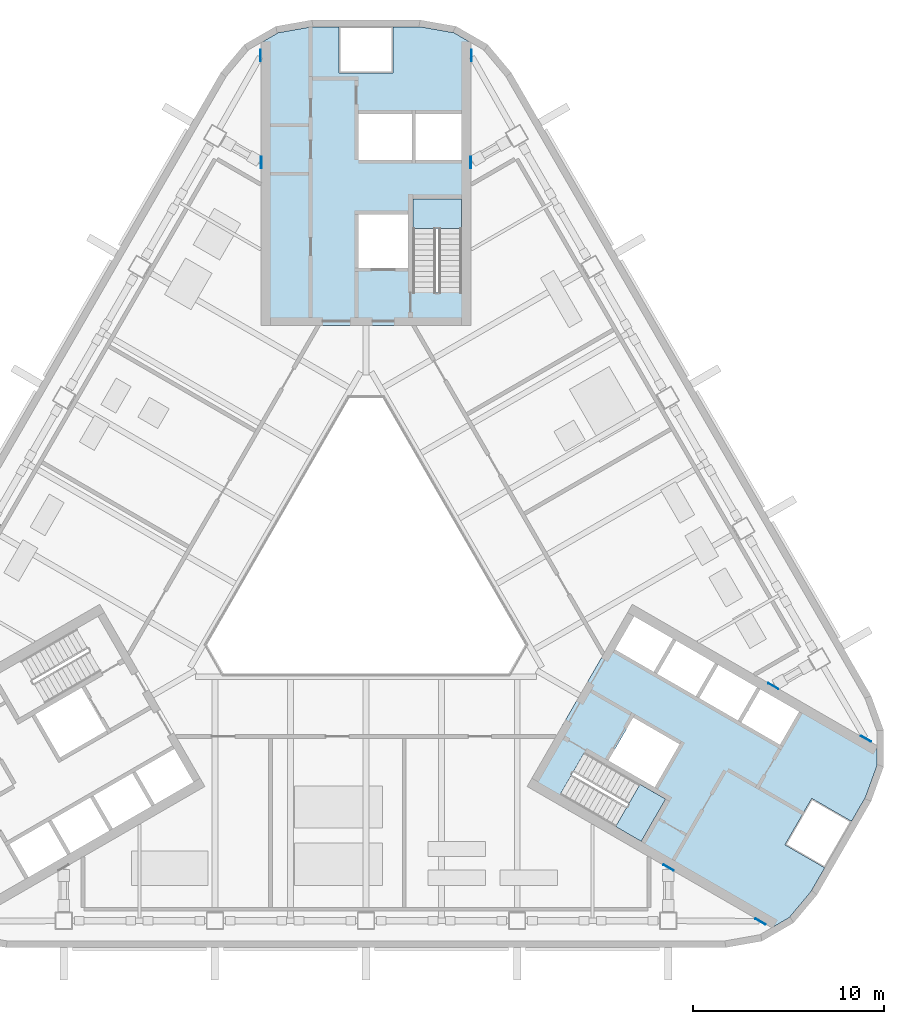
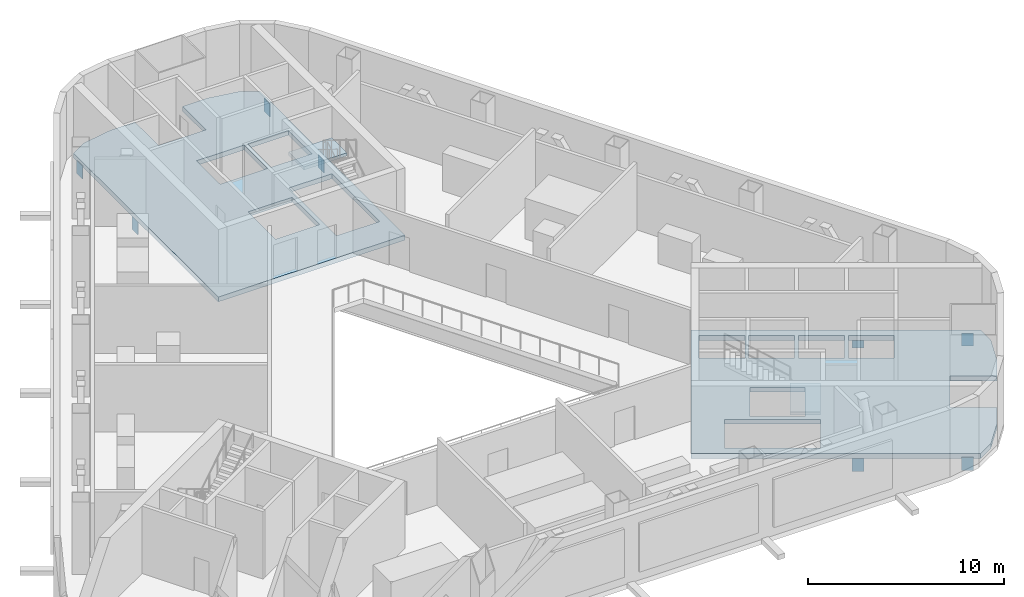
# One storey, part 6 of 15: 8 plates, 4 slabs, 2 elements without a shape of their own.
"""IFC4 building model written with IfcOpenShell, lengths in metres."""

from ifc_helpers import new_model, si_unit, direction, frame, origin, origin_2d, place, context, subcontext, project, spatial, polyline, rectangle, outline, extrude, material, layer, layer_set, type_object, element, aggregate, save


model = new_model("IFC4")

# Units and contexts
model_context = context("Model", 3, precision=1e-05, world=origin(), true_north=direction((0.0, 1.0)))
body_context = subcontext(model_context, "Body", "Model", "MODEL_VIEW")
ifc_project = project(units=[si_unit("LENGTHUNIT", "METRE"), si_unit("AREAUNIT", "SQUARE_METRE"), si_unit("VOLUMEUNIT", "CUBIC_METRE"), si_unit("PLANEANGLEUNIT", "RADIAN"), si_unit("MASSUNIT", "GRAM", prefix="KILO")], contexts=[model_context])

# Site, building, storey
site_placement = place(None, origin())
site = spatial("IfcSite", under=ifc_project, at=site_placement, CompositionType="ELEMENT")
building_placement = place(site_placement, origin())
building = spatial("IfcBuilding", under=site, at=building_placement, Name="Apuvela Tower Hotel", CompositionType="ELEMENT")
storey_placement = place(building_placement, frame((0.0, 0.0, 137.60009765625)))
storey = spatial("IfcBuildingStorey", under=building, at=storey_placement, Name="L32 Plant", CompositionType="ELEMENT", Elevation=137.60009765625)

# Slabs
ifc_material_1 = material(Name="Concrete C50/60", Category="concrete")
ifc_layer_1 = layer(ifc_material_1, 0.300048828125)
ifc_layer_set_1 = layer_set([ifc_layer_1], Name="COR-FLOOR-300")
slab_type_1 = type_object("IfcSlabType", Name="COR-FLOOR-300", PredefinedType="FLOOR", material=ifc_layer_set_1)
slab_1_placement = place(storey_placement, frame((0.0, 0.0, -0.300048828125)))
element("IfcSlab", 1, at=slab_1_placement, inside=storey, type_object=slab_type_1, Name="Core floor N", PredefinedType="FLOOR", context=body_context, shape_type="SweptSolid", body=[
    extrude(outline(polyline([(5.5, 27.668212890625), (4.588623046875, 28.1943359375), (2.85498046875, 28.5), (1.39990234375, 28.5), (1.39990234375, 26.10009765625), (-1.39990234375, 26.10009765625), (-1.39990234375, 28.5), (-2.85498046875, 28.5), (-4.588623046875, 28.1943359375), (-5.5, 27.668212890625), (-5.5, 12.89990234375), (5.5, 12.89990234375), (5.5, 27.668212890625)]), holes=[polyline([(5.0, 14.60595703125), (2.449951171875, 14.60595703125), (2.449951171875, 19.5), (5.0, 19.5), (5.0, 14.60595703125)]), polyline([(2.199951171875, 15.89990234375), (-0.39990234375, 15.89990234375), (-0.39990234375, 18.699951171875), (2.199951171875, 18.699951171875), (2.199951171875, 15.89990234375)]), polyline([(5.0, 21.550048828125), (2.60009765625, 21.550048828125), (2.60009765625, 23.949951171875), (5.0, 23.949951171875), (5.0, 21.550048828125)]), polyline([(2.39990234375, 21.550048828125), (-0.39990234375, 21.550048828125), (-0.39990234375, 23.949951171875), (2.39990234375, 23.949951171875), (2.39990234375, 21.550048828125)])]), origin(), (0.0, 0.0, 1.0), 0.300048828125),
])
slab_2_placement = place(storey_placement, frame((0.0, 0.0, -0.300048828125)))
element("IfcSlab", 2, at=slab_2_placement, inside=storey, type_object=slab_type_1, Name="Core floor SE", PredefinedType="FLOOR", context=body_context, shape_type="SweptSolid", body=[
    extrude(outline(polyline([(21.211181640625, -18.59716796875), (22.122802734375, -18.071044921875), (23.254150390625, -16.72265625), (23.981689453125, -15.46240234375), (21.9033203125, -14.262451171875), (23.30322265625, -11.837646484375), (25.381591796875, -13.03759765625), (26.109375, -11.77734375), (26.711181640625, -10.123291015625), (26.711181640625, -9.07080078125), (13.921630859375, -1.68701171875), (8.421630859375, -11.213134765625), (21.211181640625, -18.59716796875)]), holes=[polyline([(13.01806640625, -4.052001953125), (14.01806640625, -2.31982421875), (16.044677734375, -3.489990234375), (15.044677734375, -5.221923828125), (13.01806640625, -4.052001953125)]), polyline([(17.244384765625, -6.491943359375), (15.2177734375, -5.322021484375), (16.2177734375, -3.58984375), (18.244384765625, -4.760009765625), (17.244384765625, -6.491943359375)]), polyline([(14.387451171875, -14.080078125), (10.149169921875, -11.633056640625), (11.42431640625, -9.4248046875), (15.66259765625, -11.871826171875), (14.387451171875, -14.080078125)]), polyline([(12.669921875, -9.855224609375), (13.9697265625, -7.603515625), (16.394775390625, -9.003662109375), (15.0947265625, -11.25537109375), (12.669921875, -9.855224609375)]), polyline([(19.444091796875, -7.761962890625), (17.41748046875, -6.591796875), (18.41748046875, -4.85986328125), (20.444091796875, -6.02978515625), (19.444091796875, -7.761962890625)]), polyline([(21.643798828125, -9.031982421875), (19.6171875, -7.86181640625), (20.6171875, -6.1298828125), (22.643798828125, -7.2998046875), (21.643798828125, -9.031982421875)])]), origin(), (0.0, 0.0, 1.0), 0.300048828125),
])

# Stair, slab
stair_type = type_object("IfcStairType", Name="COR-STAIR-26R", PredefinedType="HALF_TURN_STAIR", material=ifc_material_1)
stair_1_placement = place(storey_placement, origin())
stair_1 = element("IfcStair", 3, at=stair_1_placement, inside=storey, type_object=stair_type, Name="L32 Plant Exit stair ST1", PredefinedType="HALF_TURN_STAIR")
ifc_layer_2 = layer(ifc_material_1, 0.199951171875)
ifc_layer_set_2 = layer_set([ifc_layer_2], Name="COR-LANDING-200")
slab_type_2 = type_object("IfcSlabType", Name="COR-LANDING-200", PredefinedType="LANDING", material=ifc_layer_set_2)
slab_3_placement = place(storey_placement, frame((0.0, 0.0, 2.0498046875)))
slab_3 = element("IfcSlab", 4, at=slab_3_placement, type_object=slab_type_2, Name="ST1 landing 1", PredefinedType="LANDING", context=body_context, shape_type="SweptSolid", body=[
    extrude(outline(polyline([(5.0, 17.9541015625), (5.0, 19.5), (2.449951171875, 19.5), (2.449951171875, 17.9541015625), (5.0, 17.9541015625)])), origin(), (0.0, 0.0, 1.0), 0.2001953125),
])
aggregate(stair_1, [slab_3])

stair_2_placement = place(storey_placement, origin())
stair_2 = element("IfcStair", 5, at=stair_2_placement, inside=storey, type_object=stair_type, Name="L32 Plant Exit stair ST3", PredefinedType="HALF_TURN_STAIR")
slab_4_placement = place(storey_placement, frame((0.0, 0.0, 2.0498046875)))
slab_4 = element("IfcSlab", 6, at=slab_4_placement, type_object=slab_type_2, Name="ST3 landing 1", PredefinedType="LANDING", context=body_context, shape_type="SweptSolid", body=[
    extrude(outline(polyline([(13.048583984375, -13.30712890625), (14.387451171875, -14.080078125), (15.66259765625, -11.871826171875), (14.32373046875, -11.098876953125), (13.048583984375, -13.30712890625)])), origin(), (0.0, 0.0, 1.0), 0.2001953125),
])
aggregate(stair_2, [slab_4])

# Plates
ifc_material_2 = material(Name="Steel S355", Category="steel")
ifc_layer_3 = layer(ifc_material_2, 0.0400390625)
ifc_layer_set_3 = layer_set([ifc_layer_3], Name="STR-CP 40 Steel S355")
plate_type = type_object("IfcPlateType", Name="STR-CP 40 Steel S355", PredefinedType="SHEET", material=ifc_layer_set_3)
for number, where, z_axis, x_axis, name in (
    (7, (20.622802734375, -18.280517578125, -1.01025390625), (0.0, 0.0, 1.0), (-0.5, -0.866025403784, 0.0), "Cast-in plate CP-T1-26 40"),
    (8, (26.142578125, -8.719482421875, -1.01025390625), (0.0, 0.0, 1.0), (0.5, 0.866025403784, 0.0), "Cast-in plate CP-T1-27 40"),
    (9, (5.52001953125, 27.0, -1.01025390625), (0.0, 0.0, 1.0), (1.0, 0.0, 0.0), "Cast-in plate CP-T1-28 40"),
    (10, (-5.52001953125, 27.0, -1.01025390625), (0.0, 0.0, 1.0), (-1.0, 0.0, 0.0), "Cast-in plate CP-T1-29 40"),
    (11, (21.2900390625, -5.964111328125, -1.10693359375), (0.0, 0.0, 1.0), (-0.5, -0.866025403784, 0.0), "Cast-in plate CP-T1-31 40"),
    (12, (5.47998046875, 21.419677734375, -1.10693359375), (0.0, 0.0, 1.0), (-1.0, 0.0, 0.0), "Cast-in plate CP-T1-32 40"),
    (13, (-5.47998046875, 21.419677734375, -1.10693359375), (0.0, 0.0, 1.0), (1.0, 0.0, 0.0), "Cast-in plate CP-T1-33 40"),
    (14, (15.81005859375, -15.455810546875, -1.10693359375), (0.0, 0.0, 1.0), (0.5, 0.866025403784, 0.0), "Cast-in plate CP-T1-36 40"),
):
    element("IfcPlate", number, at=place(storey_placement, frame(where, z_axis=z_axis, x_axis=x_axis)), inside=storey, type_object=plate_type, Name=name, PredefinedType="SHEET", context=body_context, shape_type="SweptSolid", body=[
        extrude(rectangle(XDim=0.0400390625, YDim=0.60009765625, at=origin_2d()), origin(), (0.0, 0.0, 1.0), 0.800048828125),
    ])

save(model, "model.ifc")
